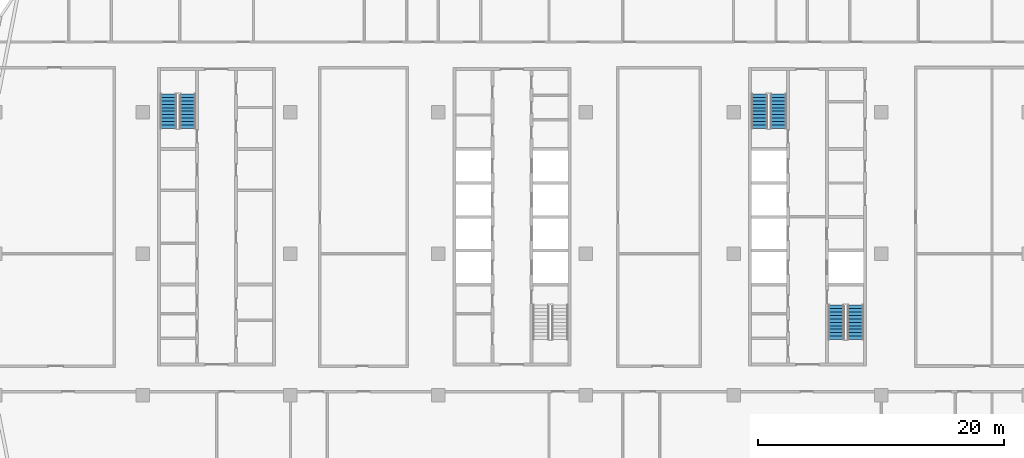
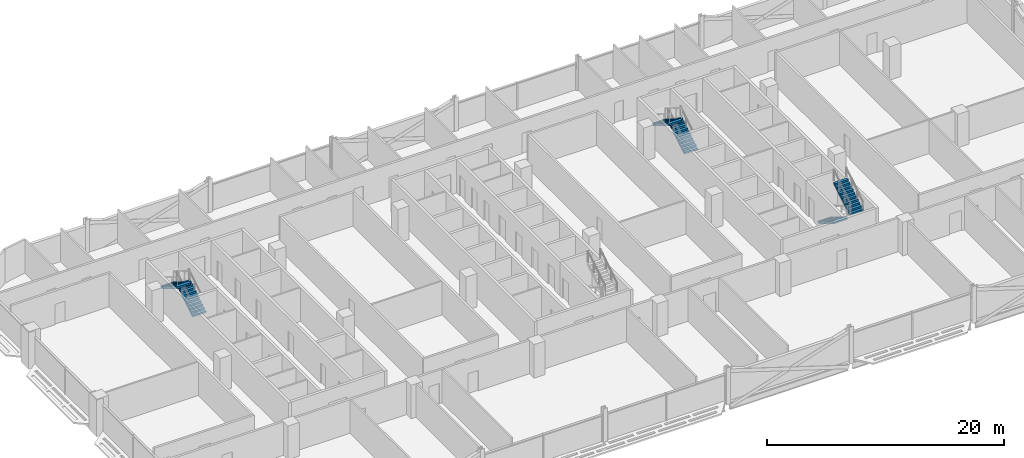
# One storey, part 19 of 30: 6 stair flights, 3 elements without a shape of their own.
"""IFC4 building model written with IfcOpenShell, lengths in metres."""

from ifc_helpers import new_model, si_unit, direction, frame, origin, place, context, subcontext, project, spatial, polyline, outline, extrude, material, type_object, element, aggregate, save


model = new_model("IFC4")

# Units and contexts
model_context = context("Model", 3, precision=1e-05, world=origin(), true_north=direction((0.0, 1.0)))
body_context = subcontext(model_context, "Body", "Model", "MODEL_VIEW")
ifc_project = project(units=[si_unit("LENGTHUNIT", "METRE"), si_unit("AREAUNIT", "SQUARE_METRE"), si_unit("VOLUMEUNIT", "CUBIC_METRE"), si_unit("PLANEANGLEUNIT", "RADIAN"), si_unit("MASSUNIT", "GRAM", prefix="KILO")], contexts=[model_context])

# Site, building, storey
site_placement = place(None, origin())
site = spatial("IfcSite", under=ifc_project, at=site_placement, CompositionType="ELEMENT")
building_placement = place(site_placement, origin())
building = spatial("IfcBuilding", under=site, at=building_placement, Name="Mahtab Terrace Research Tower", CompositionType="ELEMENT")
storey_placement = place(building_placement, frame((0.0, 0.0, 216.699951171875)))
storey = spatial("IfcBuildingStorey", under=building, at=storey_placement, Name="L52", CompositionType="ELEMENT", Elevation=216.699951171875)

# Stair, stair flights
ifc_material_1 = material(Name="Exit stair half-turn")
stair_type = type_object("IfcStairType", Name="Exit stair half-turn", PredefinedType="HALF_TURN_STAIR", material=ifc_material_1)
stair_1_placement = place(storey_placement, origin())
stair_1 = element("IfcStair", 1, at=stair_1_placement, inside=storey, type_object=stair_type, Name="L52 Protected exit stair ST1", PredefinedType="HALF_TURN_STAIR")
ifc_material_2 = material(Name="Concrete C40/50", Category="concrete")
stair_flight_type = type_object("IfcStairFlightType", Name="Exit stair flight 1300", PredefinedType="STRAIGHT", material=ifc_material_2)
stair_flight_1_placement = place(storey_placement, frame((-26.35009765625, 10.175048828125, 0.0), z_axis=(0.0, 0.0, 1.0), x_axis=(0.0, 1.0, 0.0)))
stair_flight_1 = element("IfcStairFlight", 2, at=stair_flight_1_placement, type_object=stair_flight_type, Name="ST1 flight 1", NumberOfRisers=11, NumberOfTreads=10, PredefinedType="STRAIGHT", RiserHeight=0.172727273, TreadLength=0.28, context=body_context, shape_type="SweptSolid", body=[
    extrude(outline(polyline([(0.0, 0.0), (0.0, 0.172607421875), (0.280029296875, 0.172607421875), (0.280029296875, 0.345458984375), (0.56005859375, 0.345458984375), (0.56005859375, 0.51806640625), (0.840087890625, 0.51806640625), (0.840087890625, 0.69091796875), (1.1201171875, 0.69091796875), (1.1201171875, 0.863525390625), (1.39990234375, 0.863525390625), (1.39990234375, 1.036376953125), (1.679931640625, 1.036376953125), (1.679931640625, 1.208984375), (1.9599609375, 1.208984375), (1.9599609375, 1.3818359375), (2.239990234375, 1.3818359375), (2.239990234375, 1.554443359375), (2.52001953125, 1.554443359375), (2.52001953125, 1.727294921875), (2.800048828125, 1.727294921875), (2.800048828125, 1.89990234375), (2.800048828125, 1.551025390625), (0.285400390625, 0.0), (0.0, 0.0)])), frame((0.0, 0.64990234375, 0.0), z_axis=(0.0, -1.0, 0.0), x_axis=(1.0, 0.0, 0.0)), (0.0, 0.0, 1.0), 1.300048828125),
])
stair_flight_2_placement = place(storey_placement, frame((-27.89990234375, 12.97509765625, 1.900146484375), z_axis=(0.0, 0.0, 1.0), x_axis=(0.0, -1.0, 0.0)))
stair_flight_2 = element("IfcStairFlight", 3, at=stair_flight_2_placement, type_object=stair_flight_type, Name="ST1 flight 2", NumberOfRisers=11, NumberOfTreads=10, PredefinedType="STRAIGHT", RiserHeight=0.172727273, TreadLength=0.28, context=body_context, shape_type="SweptSolid", body=[
    extrude(outline(polyline([(0.0, 0.0), (0.0, 0.172607421875), (0.280029296875, 0.172607421875), (0.280029296875, 0.345458984375), (0.56005859375, 0.345458984375), (0.56005859375, 0.51806640625), (0.840087890625, 0.51806640625), (0.840087890625, 0.69091796875), (1.1201171875, 0.69091796875), (1.1201171875, 0.863525390625), (1.39990234375, 0.863525390625), (1.39990234375, 1.036376953125), (1.679931640625, 1.036376953125), (1.679931640625, 1.208984375), (1.9599609375, 1.208984375), (1.9599609375, 1.3818359375), (2.239990234375, 1.3818359375), (2.239990234375, 1.554443359375), (2.52001953125, 1.554443359375), (2.52001953125, 1.727294921875), (2.800048828125, 1.727294921875), (2.800048828125, 1.89990234375), (2.800048828125, 1.551025390625), (0.285400390625, 0.0), (0.0, 0.0)])), frame((0.0, 0.64990234375, 0.0), z_axis=(0.0, -1.0, 0.0), x_axis=(1.0, 0.0, 0.0)), (0.0, 0.0, 1.0), 1.300048828125),
])
aggregate(stair_1, [stair_flight_1, stair_flight_2])

stair_2_placement = place(storey_placement, origin())
stair_2 = element("IfcStair", 4, at=stair_2_placement, inside=storey, type_object=stair_type, Name="L52 Protected exit stair ST3", PredefinedType="HALF_TURN_STAIR")
stair_flight_3_placement = place(storey_placement, frame((21.64990234375, 10.175048828125, 0.0), z_axis=(0.0, 0.0, 1.0), x_axis=(0.0, 1.0, 0.0)))
stair_flight_3 = element("IfcStairFlight", 5, at=stair_flight_3_placement, type_object=stair_flight_type, Name="ST3 flight 1", NumberOfRisers=11, NumberOfTreads=10, PredefinedType="STRAIGHT", RiserHeight=0.172727273, TreadLength=0.28, context=body_context, shape_type="SweptSolid", body=[
    extrude(outline(polyline([(0.0, 0.0), (0.0, 0.172607421875), (0.280029296875, 0.172607421875), (0.280029296875, 0.345458984375), (0.56005859375, 0.345458984375), (0.56005859375, 0.51806640625), (0.840087890625, 0.51806640625), (0.840087890625, 0.69091796875), (1.1201171875, 0.69091796875), (1.1201171875, 0.863525390625), (1.39990234375, 0.863525390625), (1.39990234375, 1.036376953125), (1.679931640625, 1.036376953125), (1.679931640625, 1.208984375), (1.9599609375, 1.208984375), (1.9599609375, 1.3818359375), (2.239990234375, 1.3818359375), (2.239990234375, 1.554443359375), (2.52001953125, 1.554443359375), (2.52001953125, 1.727294921875), (2.800048828125, 1.727294921875), (2.800048828125, 1.89990234375), (2.800048828125, 1.551025390625), (0.285400390625, 0.0), (0.0, 0.0)])), frame((0.0, 0.64990234375, 0.0), z_axis=(0.0, -1.0, 0.0), x_axis=(1.0, 0.0, 0.0)), (0.0, 0.0, 1.0), 1.300048828125),
])
stair_flight_4_placement = place(storey_placement, frame((20.10009765625, 12.97509765625, 1.900146484375), z_axis=(0.0, 0.0, 1.0), x_axis=(0.0, -1.0, 0.0)))
stair_flight_4 = element("IfcStairFlight", 6, at=stair_flight_4_placement, type_object=stair_flight_type, Name="ST3 flight 2", NumberOfRisers=11, NumberOfTreads=10, PredefinedType="STRAIGHT", RiserHeight=0.172727273, TreadLength=0.28, context=body_context, shape_type="SweptSolid", body=[
    extrude(outline(polyline([(0.0, 0.0), (0.0, 0.172607421875), (0.280029296875, 0.172607421875), (0.280029296875, 0.345458984375), (0.56005859375, 0.345458984375), (0.56005859375, 0.51806640625), (0.840087890625, 0.51806640625), (0.840087890625, 0.69091796875), (1.1201171875, 0.69091796875), (1.1201171875, 0.863525390625), (1.39990234375, 0.863525390625), (1.39990234375, 1.036376953125), (1.679931640625, 1.036376953125), (1.679931640625, 1.208984375), (1.9599609375, 1.208984375), (1.9599609375, 1.3818359375), (2.239990234375, 1.3818359375), (2.239990234375, 1.554443359375), (2.52001953125, 1.554443359375), (2.52001953125, 1.727294921875), (2.800048828125, 1.727294921875), (2.800048828125, 1.89990234375), (2.800048828125, 1.551025390625), (0.285400390625, 0.0), (0.0, 0.0)])), frame((0.0, 0.64990234375, 0.0), z_axis=(0.0, -1.0, 0.0), x_axis=(1.0, 0.0, 0.0)), (0.0, 0.0, 1.0), 1.300048828125),
])
aggregate(stair_2, [stair_flight_3, stair_flight_4])

stair_3_placement = place(storey_placement, origin())
stair_3 = element("IfcStair", 7, at=stair_3_placement, inside=storey, type_object=stair_type, Name="L52 Protected exit stair ST4", PredefinedType="HALF_TURN_STAIR")
stair_flight_5_placement = place(storey_placement, frame((26.35009765625, -4.175048828125, 0.0), z_axis=(0.0, 0.0, 1.0), x_axis=(0.0, -1.0, 0.0)))
stair_flight_5 = element("IfcStairFlight", 8, at=stair_flight_5_placement, type_object=stair_flight_type, Name="ST4 flight 1", NumberOfRisers=11, NumberOfTreads=10, PredefinedType="STRAIGHT", RiserHeight=0.172727273, TreadLength=0.28, context=body_context, shape_type="SweptSolid", body=[
    extrude(outline(polyline([(0.0, 0.0), (0.0, 0.172607421875), (0.280029296875, 0.172607421875), (0.280029296875, 0.345458984375), (0.56005859375, 0.345458984375), (0.56005859375, 0.51806640625), (0.840087890625, 0.51806640625), (0.840087890625, 0.69091796875), (1.1201171875, 0.69091796875), (1.1201171875, 0.863525390625), (1.39990234375, 0.863525390625), (1.39990234375, 1.036376953125), (1.679931640625, 1.036376953125), (1.679931640625, 1.208984375), (1.9599609375, 1.208984375), (1.9599609375, 1.3818359375), (2.239990234375, 1.3818359375), (2.239990234375, 1.554443359375), (2.52001953125, 1.554443359375), (2.52001953125, 1.727294921875), (2.800048828125, 1.727294921875), (2.800048828125, 1.89990234375), (2.800048828125, 1.551025390625), (0.285400390625, 0.0), (0.0, 0.0)])), frame((0.0, 0.64990234375, 0.0), z_axis=(0.0, -1.0, 0.0), x_axis=(1.0, 0.0, 0.0)), (0.0, 0.0, 1.0), 1.300048828125),
])
stair_flight_6_placement = place(storey_placement, frame((27.89990234375, -6.97509765625, 1.900146484375), z_axis=(0.0, 0.0, 1.0), x_axis=(0.0, 1.0, 0.0)))
stair_flight_6 = element("IfcStairFlight", 9, at=stair_flight_6_placement, type_object=stair_flight_type, Name="ST4 flight 2", NumberOfRisers=11, NumberOfTreads=10, PredefinedType="STRAIGHT", RiserHeight=0.172727273, TreadLength=0.28, context=body_context, shape_type="SweptSolid", body=[
    extrude(outline(polyline([(0.0, 0.0), (0.0, 0.172607421875), (0.280029296875, 0.172607421875), (0.280029296875, 0.345458984375), (0.56005859375, 0.345458984375), (0.56005859375, 0.51806640625), (0.840087890625, 0.51806640625), (0.840087890625, 0.69091796875), (1.1201171875, 0.69091796875), (1.1201171875, 0.863525390625), (1.39990234375, 0.863525390625), (1.39990234375, 1.036376953125), (1.679931640625, 1.036376953125), (1.679931640625, 1.208984375), (1.9599609375, 1.208984375), (1.9599609375, 1.3818359375), (2.239990234375, 1.3818359375), (2.239990234375, 1.554443359375), (2.52001953125, 1.554443359375), (2.52001953125, 1.727294921875), (2.800048828125, 1.727294921875), (2.800048828125, 1.89990234375), (2.800048828125, 1.551025390625), (0.285400390625, 0.0), (0.0, 0.0)])), frame((0.0, 0.64990234375, 0.0), z_axis=(0.0, -1.0, 0.0), x_axis=(1.0, 0.0, 0.0)), (0.0, 0.0, 1.0), 1.300048828125),
])
aggregate(stair_3, [stair_flight_5, stair_flight_6])

save(model, "model.ifc")
